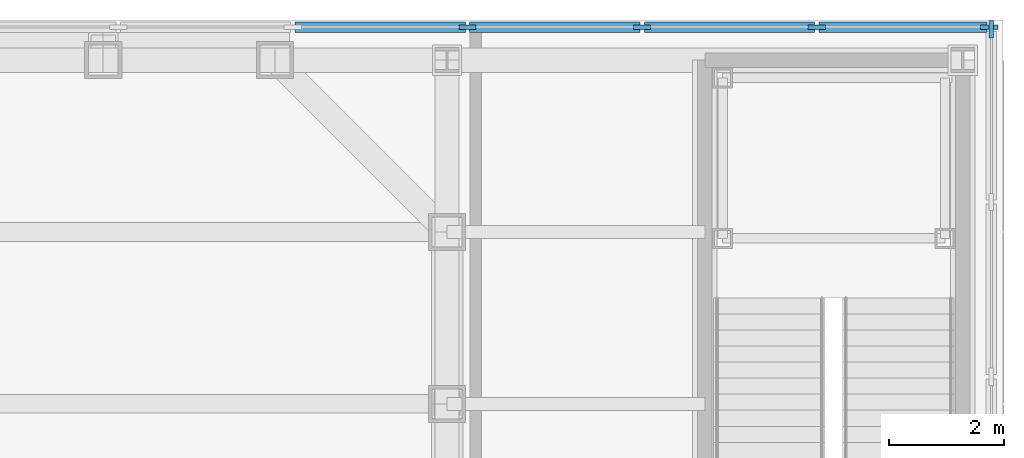
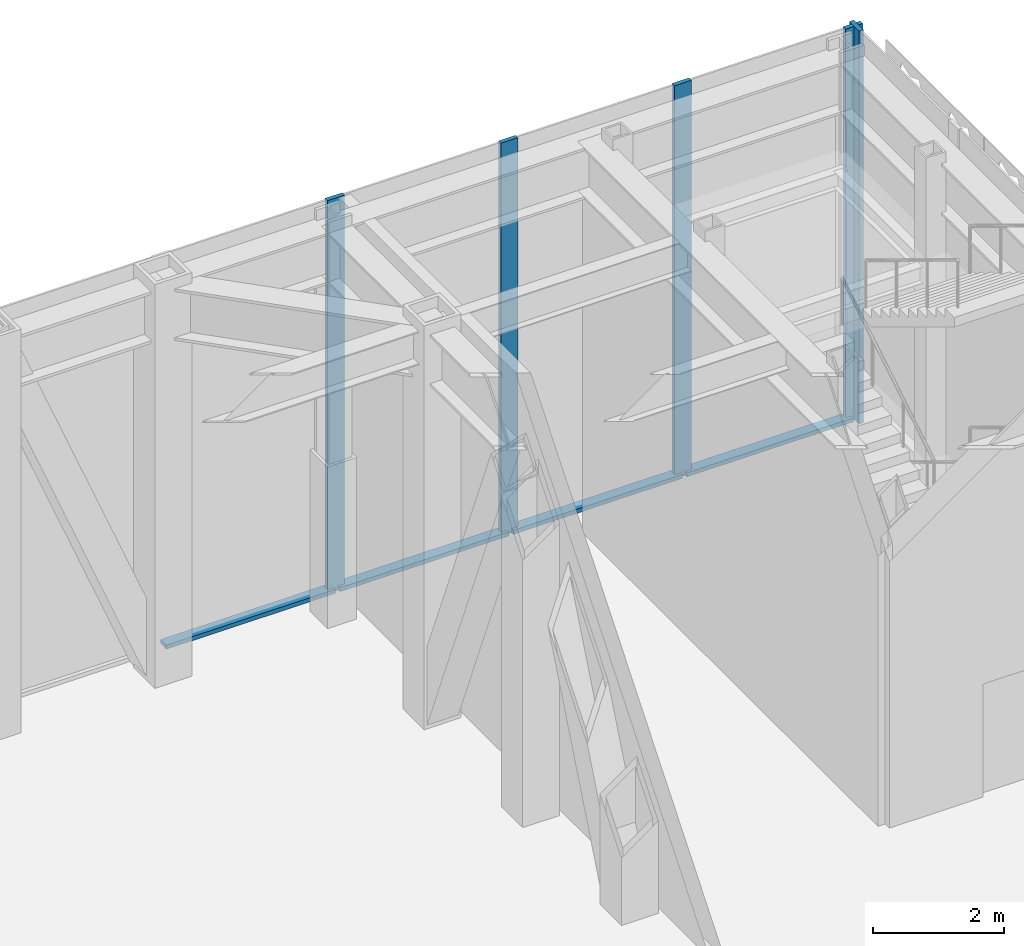
# One storey, part 12 of 34: 9 members, 2 elements without a shape of their own.
"""IFC4 building model written with IfcOpenShell, lengths in metres."""

from ifc_helpers import new_model, si_unit, direction, frame, origin, origin_2d, place, context, subcontext, project, spatial, rectangle, extrude, material, layer, layer_set, material_profile, profile_set, type_object, element, aggregate, save


model = new_model("IFC4")

# Units and contexts
model_context = context("Model", 3, precision=1e-05, world=origin(), true_north=direction((0.0, 1.0)))
body_context = subcontext(model_context, "Body", "Model", "MODEL_VIEW")
ifc_project = project(units=[si_unit("LENGTHUNIT", "METRE"), si_unit("AREAUNIT", "SQUARE_METRE"), si_unit("VOLUMEUNIT", "CUBIC_METRE"), si_unit("PLANEANGLEUNIT", "RADIAN"), si_unit("MASSUNIT", "GRAM", prefix="KILO")], contexts=[model_context])

# Site, building, storey
site_placement = place(None, origin())
site = spatial("IfcSite", under=ifc_project, at=site_placement, CompositionType="ELEMENT")
building_placement = place(site_placement, origin())
building = spatial("IfcBuilding", under=site, at=building_placement, Name="Chuquiago Exchange Tower", CompositionType="ELEMENT")
storey_placement = place(building_placement, frame((0.0, 0.0, 6.0)))
storey = spatial("IfcBuildingStorey", under=building, at=storey_placement, Name="L01", CompositionType="ELEMENT", Elevation=6.0)

# Curtain wall, member
ifc_material_1 = material(Name="Aluminium curtain wall system", Category="aluminium")
ifc_layer = layer(ifc_material_1, 0.300048828125)
ifc_layer_set = layer_set([ifc_layer], Name="CW4 podium curtain wall")
curtain_wall_type = type_object("IfcCurtainWallType", Name="CW4 podium curtain wall", PredefinedType="NOTDEFINED", material=ifc_layer_set)
curtain_wall_1_placement = place(storey_placement, origin())
curtain_wall_1 = element("IfcCurtainWall", 1, at=curtain_wall_1_placement, inside=storey, type_object=curtain_wall_type, Name="CW4 curtain wall L01", PredefinedType="NOTDEFINED")
ifc_material_2 = material(Name="Aluminium mullion, pale anodised", Category="aluminium")
ifc_material_profile_1 = material_profile(ifc_material_2, rectangle(XDim=0.074951171875, YDim=0.300048828125, at=origin_2d()), Name="AL 75x300")
ifc_profile_set_1 = profile_set([ifc_material_profile_1], Name="Aluminium mullion, pale anodised")
member_type_1 = type_object("IfcMemberType", Name="CW4-M mullion 75x300", PredefinedType="MULLION", material=ifc_profile_set_1)
member_1_placement = place(storey_placement, frame((54.5, 45.53759765625, 0.0), z_axis=(0.0, 0.0, 1.0), x_axis=(-1.0, 0.0, 0.0)))
member_1 = element("IfcMember", 2, at=member_1_placement, type_object=member_type_1, Name="CW4 mullion 22", PredefinedType="MULLION", context=body_context, shape_type="SweptSolid", body=[
    extrude(rectangle(XDim=0.074951171875, YDim=0.300048828125, at=origin_2d()), origin(), (0.0, 0.0, 1.0), 7.300048828125),
])
aggregate(curtain_wall_1, [member_1])

# Curtain wall, members
curtain_wall_2_placement = place(storey_placement, origin())
curtain_wall_2 = element("IfcCurtainWall", 3, at=curtain_wall_2_placement, inside=storey, type_object=curtain_wall_type, Name="CW4 curtain wall L01", PredefinedType="NOTDEFINED")
member_2_placement = place(storey_placement, frame((54.46240234375, 45.574951171875, 0.0), z_axis=(0.0, 0.0, 1.0), x_axis=(0.0, -1.0, 0.0)))
member_2 = element("IfcMember", 4, at=member_2_placement, type_object=member_type_1, Name="CW4 mullion 1", PredefinedType="MULLION", context=body_context, shape_type="SweptSolid", body=[
    extrude(rectangle(XDim=0.074951171875, YDim=0.300048828125, at=origin_2d()), origin(), (0.0, 0.0, 1.0), 7.300048828125),
])
member_3_placement = place(storey_placement, frame((51.452392578125, 45.574951171875, 0.0), z_axis=(0.0, 0.0, 1.0), x_axis=(0.0, -1.0, 0.0)))
member_3 = element("IfcMember", 5, at=member_3_placement, type_object=member_type_1, Name="CW4 mullion 2", PredefinedType="MULLION", context=body_context, shape_type="SweptSolid", body=[
    extrude(rectangle(XDim=0.074951171875, YDim=0.300048828125, at=origin_2d()), origin(), (0.0, 0.0, 1.0), 7.300048828125),
])
member_4_placement = place(storey_placement, frame((48.40478515625, 45.574951171875, 0.0), z_axis=(0.0, 0.0, 1.0), x_axis=(0.0, -1.0, 0.0)))
member_4 = element("IfcMember", 6, at=member_4_placement, type_object=member_type_1, Name="CW4 mullion 3", PredefinedType="MULLION", context=body_context, shape_type="SweptSolid", body=[
    extrude(rectangle(XDim=0.074951171875, YDim=0.300048828125, at=origin_2d()), origin(), (0.0, 0.0, 1.0), 7.300048828125),
])
member_5_placement = place(storey_placement, frame((45.357177734375, 45.574951171875, 0.0), z_axis=(0.0, 0.0, 1.0), x_axis=(0.0, -1.0, 0.0)))
member_5 = element("IfcMember", 7, at=member_5_placement, type_object=member_type_1, Name="CW4 mullion 4", PredefinedType="MULLION", context=body_context, shape_type="SweptSolid", body=[
    extrude(rectangle(XDim=0.074951171875, YDim=0.300048828125, at=origin_2d()), origin(), (0.0, 0.0, 1.0), 7.300048828125),
])
ifc_material_3 = material(Name="Aluminium transom, pale anodised", Category="aluminium")
ifc_material_profile_2 = material_profile(ifc_material_3, rectangle(XDim=0.179931640625, YDim=0.074951171875, at=origin_2d()), Name="AL 180x75")
ifc_profile_set_2 = profile_set([ifc_material_profile_2], Name="Aluminium transom, pale anodised")
member_type_2 = type_object("IfcMemberType", Name="CW4-T transom 75x180", PredefinedType="MULLION", material=ifc_profile_set_2)
member_6_placement = place(storey_placement, frame((54.425048828125, 45.574951171875, 0.03759765625), z_axis=(-1.0, 0.0, 0.0), x_axis=(0.0, -1.0, 0.0)))
member_6 = element("IfcMember", 8, at=member_6_placement, type_object=member_type_2, Name="CW4 transom 1.1", PredefinedType="MULLION", context=body_context, shape_type="SweptSolid", body=[
    extrude(rectangle(XDim=0.179931640625, YDim=0.074951171875, at=origin_2d()), origin(), (0.0, 0.0, 1.0), 2.93505859375),
])
member_7_placement = place(storey_placement, frame((51.414794921875, 45.574951171875, 0.03759765625), z_axis=(-1.0, 0.0, 0.0), x_axis=(0.0, -1.0, 0.0)))
member_7 = element("IfcMember", 9, at=member_7_placement, type_object=member_type_2, Name="CW4 transom 2.1", PredefinedType="MULLION", context=body_context, shape_type="SweptSolid", body=[
    extrude(rectangle(XDim=0.179931640625, YDim=0.074951171875, at=origin_2d()), origin(), (0.0, 0.0, 1.0), 2.972412109375),
])
member_8_placement = place(storey_placement, frame((48.3671875, 45.574951171875, 0.03759765625), z_axis=(-1.0, 0.0, 0.0), x_axis=(0.0, -1.0, 0.0)))
member_8 = element("IfcMember", 10, at=member_8_placement, type_object=member_type_2, Name="CW4 transom 3.1", PredefinedType="MULLION", context=body_context, shape_type="SweptSolid", body=[
    extrude(rectangle(XDim=0.179931640625, YDim=0.074951171875, at=origin_2d()), origin(), (0.0, 0.0, 1.0), 2.97265625),
])
member_9_placement = place(storey_placement, frame((45.319580078125, 45.574951171875, 0.03759765625), z_axis=(-1.0, 0.0, 0.0), x_axis=(0.0, -1.0, 0.0)))
member_9 = element("IfcMember", 11, at=member_9_placement, type_object=member_type_2, Name="CW4 transom 4.1", PredefinedType="MULLION", context=body_context, shape_type="SweptSolid", body=[
    extrude(rectangle(XDim=0.179931640625, YDim=0.074951171875, at=origin_2d()), origin(), (0.0, 0.0, 1.0), 2.97265625),
])
aggregate(curtain_wall_2, [member_2, member_3, member_4, member_5, member_6, member_7, member_8, member_9])

save(model, "model.ifc")
